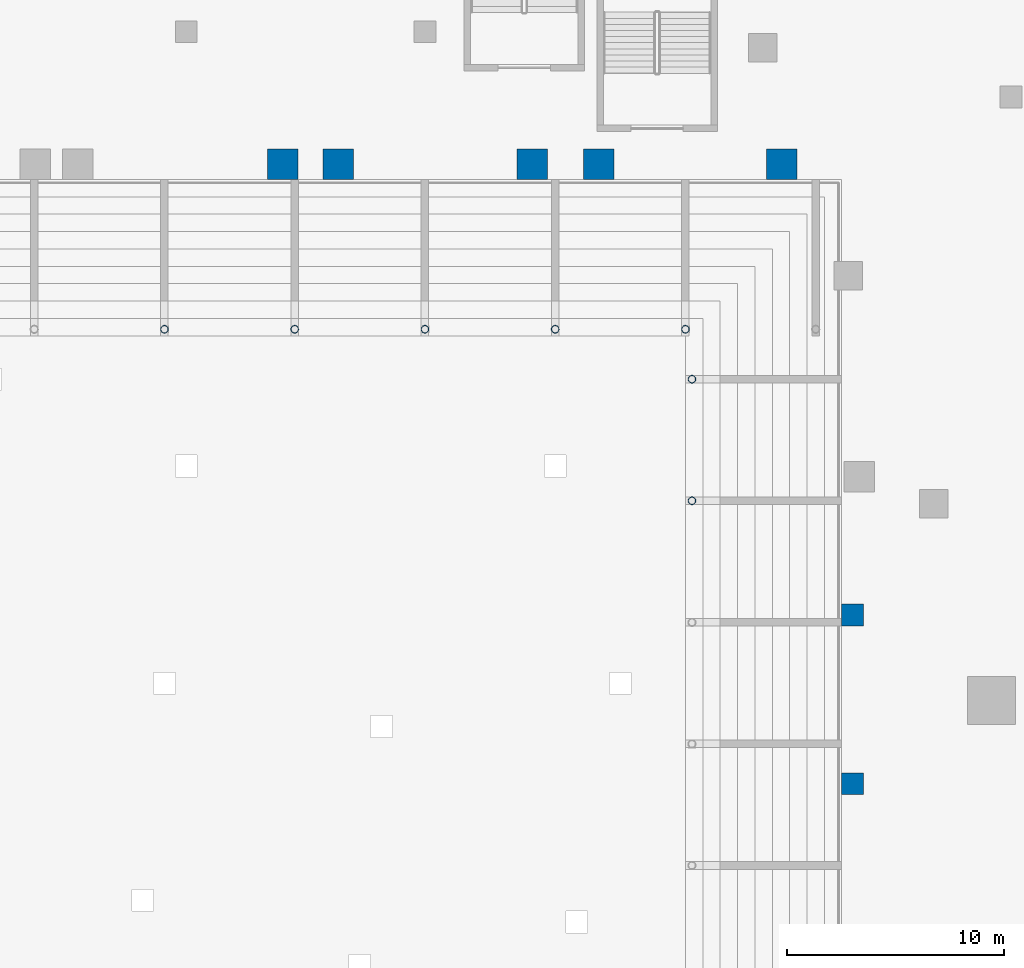
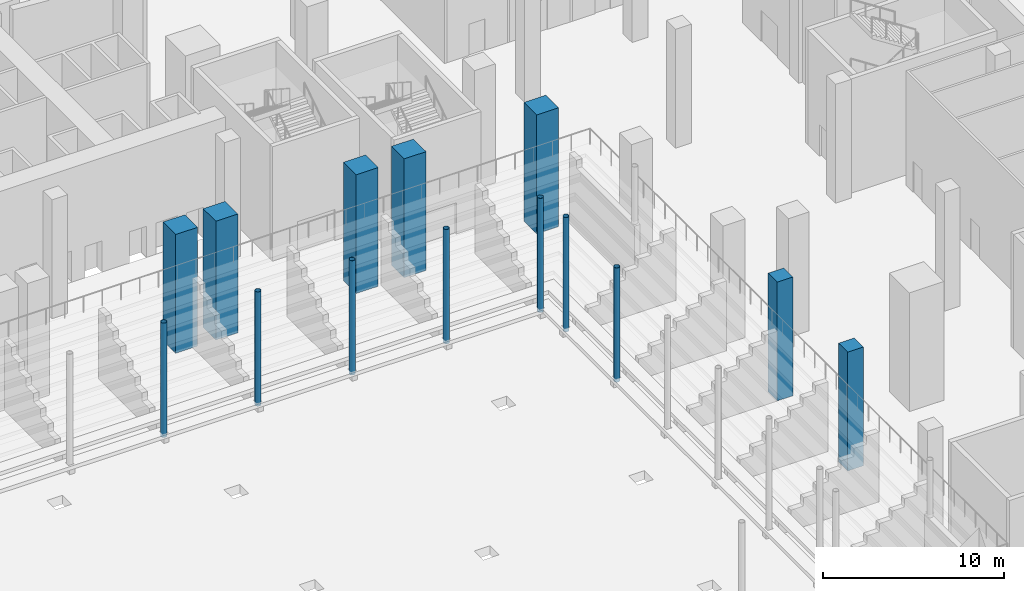
# One storey, part 10 of 41: 14 columns.
"""IFC4 building model written with IfcOpenShell, lengths in metres."""

from ifc_helpers import new_model, si_unit, direction, frame, origin, origin_2d, place, context, subcontext, project, spatial, rectangle, hollow_circle, extrude, material, material_profile, profile_set, type_object, element, save


model = new_model("IFC4")

# Units and contexts
model_context = context("Model", 3, precision=1e-05, world=origin(), true_north=direction((0.0, 1.0)))
body_context = subcontext(model_context, "Body", "Model", "MODEL_VIEW")
ifc_project = project(units=[si_unit("LENGTHUNIT", "METRE"), si_unit("AREAUNIT", "SQUARE_METRE"), si_unit("VOLUMEUNIT", "CUBIC_METRE"), si_unit("PLANEANGLEUNIT", "RADIAN"), si_unit("MASSUNIT", "GRAM", prefix="KILO")], contexts=[model_context])

# Site, building, storey
site_placement = place(None, origin())
site = spatial("IfcSite", under=ifc_project, at=site_placement, CompositionType="ELEMENT")
building_placement = place(site_placement, origin())
building = spatial("IfcBuilding", under=site, at=building_placement, Name="Wharfspan Tower", CompositionType="ELEMENT")
storey_placement = place(building_placement, origin())
storey = spatial("IfcBuildingStorey", under=building, at=storey_placement, Name="L00", CompositionType="ELEMENT", Elevation=0.0)

# Columns
ifc_material_1 = material(Name="Concrete C60/75", Category="concrete")
ifc_material_profile_1 = material_profile(ifc_material_1, rectangle(XDim=1.0, YDim=1.0, at=origin_2d()))
ifc_profile_set_1 = profile_set([ifc_material_profile_1], Name="Concrete C60/75")
column_type_1 = type_object("IfcColumnType", Name="Concrete column 1000 square", PredefinedType="COLUMN", material=ifc_profile_set_1)
for number, where, z_axis, x_axis, name in (
    (1, (83.699951, -2.639893, 0.0), (0.0, 0.0, 1.0), (1.0, 0.0, 0.0), "Column G.E7"),
    (2, (83.699951, 5.139893, 0.0), (0.0, 0.0, 1.0), (1.0, 0.0, 0.0), "Column G.E8"),
):
    element("IfcColumn", number, at=place(storey_placement, frame(where, z_axis=z_axis, x_axis=x_axis)), inside=storey, type_object=column_type_1, Name=name, PredefinedType="COLUMN", context=body_context, shape_type="SweptSolid", body=[
        extrude(rectangle(XDim=1.0, YDim=1.0, at=origin_2d()), origin(), (0.0, 0.0, 1.0), 8.0),
    ])
ifc_material_profile_2 = material_profile(ifc_material_1, rectangle(XDim=1.399902, YDim=1.399902, at=origin_2d()))
ifc_profile_set_2 = profile_set([ifc_material_profile_2], Name="Concrete C60/75")
column_type_2 = type_object("IfcColumnType", Name="Concrete column 1400 square", PredefinedType="COLUMN", material=ifc_profile_set_2)
for number, where, z_axis, x_axis, name in (
    (3, (57.441895, 25.899902, 0.0), (0.0, 0.0, 1.0), (1.0, 0.0, 0.0), "Column RN.8"),
    (4, (60.0, 25.899902, 0.0), (0.0, 0.0, 1.0), (1.0, 0.0, 0.0), "Column RN.9"),
    (5, (68.941895, 25.899902, 0.0), (0.0, 0.0, 1.0), (1.0, 0.0, 0.0), "Column RN.10"),
    (6, (72.0, 25.899902, 0.0), (0.0, 0.0, 1.0), (1.0, 0.0, 0.0), "Column RN.11"),
    (7, (80.441895, 25.899902, 0.0), (0.0, 0.0, 1.0), (1.0, 0.0, 0.0), "Column RN.12"),
):
    element("IfcColumn", number, at=place(storey_placement, frame(where, z_axis=z_axis, x_axis=x_axis)), inside=storey, type_object=column_type_2, Name=name, PredefinedType="COLUMN", context=body_context, shape_type="SweptSolid", body=[
        extrude(rectangle(XDim=1.399902, YDim=1.399902, at=origin_2d()), origin(), (0.0, 0.0, 1.0), 8.0),
    ])
ifc_material_2 = material(Name="Steel S460NH", Category="steel")
ifc_material_profile_3 = material_profile(ifc_material_2, hollow_circle(Radius=0.177734, WallThickness=0.016113, at=origin_2d()))
ifc_profile_set_3 = profile_set([ifc_material_profile_3], Name="Steel S460NH")
column_type_3 = type_object("IfcColumnType", Name="Tier column CHS 356x16", PredefinedType="COLUMN", material=ifc_profile_set_3)
for number, where, z_axis, x_axis, name in (
    (8, (52.0, 18.300049, 0.300049), (0.0, 0.0, 1.0), (1.0, 0.0, 0.0), "Upper tier column"),
    (9, (58.0, 18.300049, 0.300049), (0.0, 0.0, 1.0), (1.0, 0.0, 0.0), "Upper tier column"),
    (10, (64.0, 18.300049, 0.300049), (0.0, 0.0, 1.0), (1.0, 0.0, 0.0), "Upper tier column"),
    (11, (70.0, 18.300049, 0.300049), (0.0, 0.0, 1.0), (1.0, 0.0, 0.0), "Upper tier column"),
    (12, (76.0, 18.300049, 0.300049), (0.0, 0.0, 1.0), (1.0, 0.0, 0.0), "Upper tier column"),
    (13, (76.300049, 10.399902, 0.300049), (0.0, 0.0, 1.0), (1.0, 0.0, 0.0), "Upper tier column"),
    (14, (76.300049, 16.0, 0.300049), (0.0, 0.0, 1.0), (1.0, 0.0, 0.0), "Upper tier column"),
):
    element("IfcColumn", number, at=place(storey_placement, frame(where, z_axis=z_axis, x_axis=x_axis)), inside=storey, type_object=column_type_3, Name=name, PredefinedType="COLUMN", context=body_context, shape_type="SweptSolid", body=[
        extrude(hollow_circle(Radius=0.177734, WallThickness=0.016113, at=origin_2d()), origin(), (0.0, 0.0, 1.0), 7.699951),
    ])

save(model, "model.ifc")
